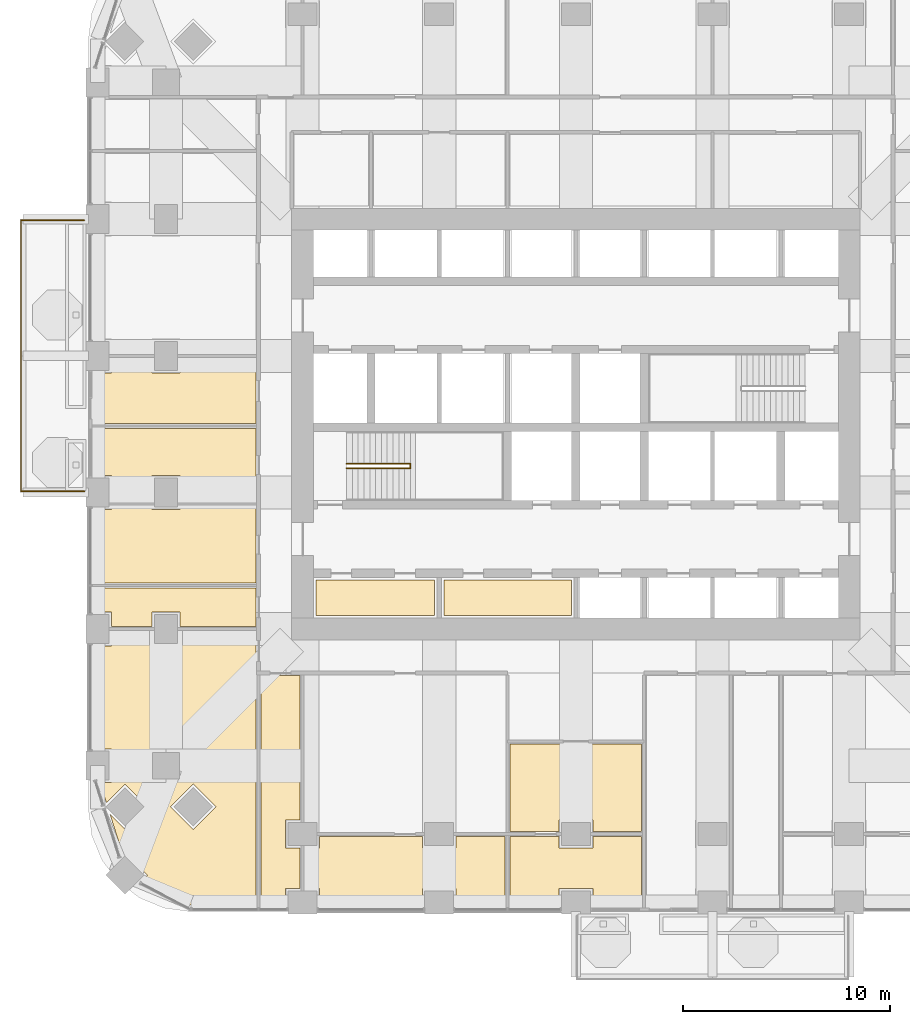
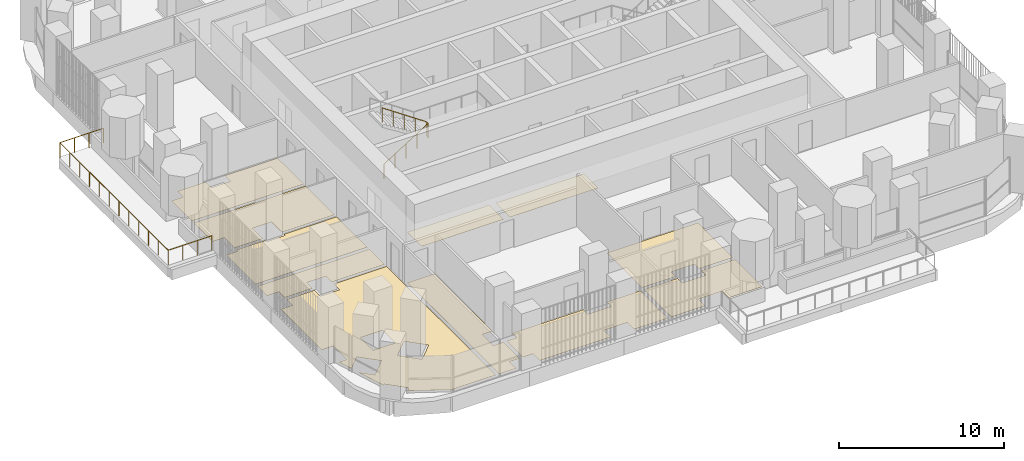
# One storey, part 19 of 23: 11 coverings, 2 railings.
"""IFC4 building model written with IfcOpenShell, lengths in metres."""

from ifc_helpers import new_model, si_unit, direction, frame, origin, place, context, subcontext, project, spatial, polyline, outline, extrude, material, layer, layer_set, type_object, element, save


model = new_model("IFC4")

# Units and contexts
model_context = context("Model", 3, precision=1e-05, world=origin(), true_north=direction((0.0, 1.0)))
body_context = subcontext(model_context, "Body", "Model", "MODEL_VIEW")
ifc_project = project(units=[si_unit("LENGTHUNIT", "METRE"), si_unit("AREAUNIT", "SQUARE_METRE"), si_unit("VOLUMEUNIT", "CUBIC_METRE"), si_unit("PLANEANGLEUNIT", "RADIAN"), si_unit("MASSUNIT", "GRAM", prefix="KILO")], contexts=[model_context])

# Site, building, storey
site_placement = place(None, origin())
site = spatial("IfcSite", under=ifc_project, at=site_placement, CompositionType="ELEMENT")
building_placement = place(site_placement, origin())
building = spatial("IfcBuilding", under=site, at=building_placement, Name="Cobogo Forest Laboratory Tower", CompositionType="ELEMENT")
storey_placement = place(building_placement, frame((0.0, 0.0, 128.39990234375)))
storey = spatial("IfcBuildingStorey", under=building, at=storey_placement, Name="L29", CompositionType="ELEMENT", Elevation=128.39990234375)

# Railing
ifc_material_1 = material(Name="Laminated glass balustrade", Category="glass")
railing_type_1 = type_object("IfcRailingType", Name="BG1 glass balustrade 1100", PredefinedType="GUARDRAIL", material=ifc_material_1)
railing_1_placement = place(storey_placement, frame((2.64990234375, 19.85009765625, 0.0)))
element("IfcRailing", 1, at=railing_1_placement, inside=storey, type_object=railing_type_1, Name="Balcony balustrade BAL-W1 L29", PredefinedType="GUARDRAIL", context=body_context, shape_type="SweptSolid", body=[
    extrude(outline(polyline([(0.022216796875, 0.00927734375), (0.00927734375, 0.022216796875), (-0.00927734375, 0.022216796875), (-0.022216796875, 0.00927734375), (-0.022216796875, -0.00927734375), (-0.00927734375, -0.022216796875), (0.00927734375, -0.022216796875), (0.022216796875, -0.00927734375), (0.022216796875, 0.00927734375)])), frame((0.0, 0.0, 1.077880859375), z_axis=(-1.0, 0.0, 0.0), x_axis=(0.0, -1.0, 0.0)), (0.0, 0.0, 1.0), 3.0498046875),
    extrude(outline(polyline([(0.022216796875, 0.00927734375), (0.00927734375, 0.022216796875), (-0.00927734375, 0.022216796875), (-0.022216796875, 0.00927734375), (-0.022216796875, -0.00927734375), (-0.00927734375, -0.022216796875), (0.00927734375, -0.022216796875), (0.022216796875, -0.00927734375), (0.022216796875, 0.00927734375)])), frame((-3.0498046875, 0.0, 1.077880859375), z_axis=(0.0, 1.0, 0.0), x_axis=(-1.0, 0.0, 0.0)), (0.0, 0.0, 1.0), 13.099853515625),
    extrude(outline(polyline([(0.022216796875, 0.00927734375), (0.00927734375, 0.022216796875), (-0.00927734375, 0.022216796875), (-0.022216796875, 0.00927734375), (-0.022216796875, -0.00927734375), (-0.00927734375, -0.022216796875), (0.00927734375, -0.022216796875), (0.022216796875, -0.00927734375), (0.022216796875, 0.00927734375)])), frame((-3.0498046875, 13.099853515625, 1.077880859375), z_axis=(1.0, 0.0, 0.0), x_axis=(0.0, 1.0, 0.0)), (0.0, 0.0, 1.0), 3.0498046875),
    extrude(outline(polyline([(0.019287109375, 0.008056640625), (0.008056640625, 0.019287109375), (-0.008056640625, 0.019287109375), (-0.019287109375, 0.008056640625), (-0.019287109375, -0.008056640625), (-0.008056640625, -0.019287109375), (0.008056640625, -0.019287109375), (0.019287109375, -0.008056640625), (0.019287109375, 0.008056640625)])), origin(), (0.0, 0.0, 1.0), 1.077880859375),
    extrude(outline(polyline([(0.019287109375, 0.008056640625), (0.008056640625, 0.019287109375), (-0.008056640625, 0.019287109375), (-0.019287109375, 0.008056640625), (-0.019287109375, -0.008056640625), (-0.008056640625, -0.019287109375), (0.008056640625, -0.019287109375), (0.019287109375, -0.008056640625), (0.019287109375, 0.008056640625)])), frame((-1.0166015625, 0.0, 0.0)), (0.0, 0.0, 1.0), 1.077880859375),
    extrude(outline(polyline([(0.019287109375, 0.008056640625), (0.008056640625, 0.019287109375), (-0.008056640625, 0.019287109375), (-0.019287109375, 0.008056640625), (-0.019287109375, -0.008056640625), (-0.008056640625, -0.019287109375), (0.008056640625, -0.019287109375), (0.019287109375, -0.008056640625), (0.019287109375, 0.008056640625)])), frame((-2.033203125, 0.0, 0.0)), (0.0, 0.0, 1.0), 1.077880859375),
    extrude(outline(polyline([(0.019287109375, 0.008056640625), (0.008056640625, 0.019287109375), (-0.008056640625, 0.019287109375), (-0.019287109375, 0.008056640625), (-0.019287109375, -0.008056640625), (-0.008056640625, -0.019287109375), (0.008056640625, -0.019287109375), (0.019287109375, -0.008056640625), (0.019287109375, 0.008056640625)])), frame((-3.0498046875, 0.0, 0.0)), (0.0, 0.0, 1.0), 1.077880859375),
    extrude(outline(polyline([(0.019287109375, 0.008056640625), (0.008056640625, 0.019287109375), (-0.008056640625, 0.019287109375), (-0.019287109375, 0.008056640625), (-0.019287109375, -0.008056640625), (-0.008056640625, -0.019287109375), (0.008056640625, -0.019287109375), (0.019287109375, -0.008056640625), (0.019287109375, 0.008056640625)])), frame((-3.0498046875, 1.19091796875, 0.0)), (0.0, 0.0, 1.0), 1.077880859375),
    extrude(outline(polyline([(0.019287109375, 0.008056640625), (0.008056640625, 0.019287109375), (-0.008056640625, 0.019287109375), (-0.019287109375, 0.008056640625), (-0.019287109375, -0.008056640625), (-0.008056640625, -0.019287109375), (0.008056640625, -0.019287109375), (0.019287109375, -0.008056640625), (0.019287109375, 0.008056640625)])), frame((-3.0498046875, 2.3818359375, 0.0)), (0.0, 0.0, 1.0), 1.077880859375),
    extrude(outline(polyline([(0.019287109375, 0.008056640625), (0.008056640625, 0.019287109375), (-0.008056640625, 0.019287109375), (-0.019287109375, 0.008056640625), (-0.019287109375, -0.008056640625), (-0.008056640625, -0.019287109375), (0.008056640625, -0.019287109375), (0.019287109375, -0.008056640625), (0.019287109375, 0.008056640625)])), frame((-3.0498046875, 3.57275390625, 0.0)), (0.0, 0.0, 1.0), 1.077880859375),
    extrude(outline(polyline([(0.019287109375, 0.008056640625), (0.008056640625, 0.019287109375), (-0.008056640625, 0.019287109375), (-0.019287109375, 0.008056640625), (-0.019287109375, -0.008056640625), (-0.008056640625, -0.019287109375), (0.008056640625, -0.019287109375), (0.019287109375, -0.008056640625), (0.019287109375, 0.008056640625)])), frame((-3.0498046875, 4.763671875, 0.0)), (0.0, 0.0, 1.0), 1.077880859375),
    extrude(outline(polyline([(0.019287109375, 0.008056640625), (0.008056640625, 0.019287109375), (-0.008056640625, 0.019287109375), (-0.019287109375, 0.008056640625), (-0.019287109375, -0.008056640625), (-0.008056640625, -0.019287109375), (0.008056640625, -0.019287109375), (0.019287109375, -0.008056640625), (0.019287109375, 0.008056640625)])), frame((-3.0498046875, 5.95458984375, 0.0)), (0.0, 0.0, 1.0), 1.077880859375),
    extrude(outline(polyline([(0.019287109375, 0.008056640625), (0.008056640625, 0.019287109375), (-0.008056640625, 0.019287109375), (-0.019287109375, 0.008056640625), (-0.019287109375, -0.008056640625), (-0.008056640625, -0.019287109375), (0.008056640625, -0.019287109375), (0.019287109375, -0.008056640625), (0.019287109375, 0.008056640625)])), frame((-3.0498046875, 7.145263671875, 0.0)), (0.0, 0.0, 1.0), 1.077880859375),
    extrude(outline(polyline([(0.019287109375, 0.008056640625), (0.008056640625, 0.019287109375), (-0.008056640625, 0.019287109375), (-0.019287109375, 0.008056640625), (-0.019287109375, -0.008056640625), (-0.008056640625, -0.019287109375), (0.008056640625, -0.019287109375), (0.019287109375, -0.008056640625), (0.019287109375, 0.008056640625)])), frame((-3.0498046875, 8.336181640625, 0.0)), (0.0, 0.0, 1.0), 1.077880859375),
    extrude(outline(polyline([(0.019287109375, 0.008056640625), (0.008056640625, 0.019287109375), (-0.008056640625, 0.019287109375), (-0.019287109375, 0.008056640625), (-0.019287109375, -0.008056640625), (-0.008056640625, -0.019287109375), (0.008056640625, -0.019287109375), (0.019287109375, -0.008056640625), (0.019287109375, 0.008056640625)])), frame((-3.0498046875, 9.527099609375, 0.0)), (0.0, 0.0, 1.0), 1.077880859375),
    extrude(outline(polyline([(0.019287109375, 0.008056640625), (0.008056640625, 0.019287109375), (-0.008056640625, 0.019287109375), (-0.019287109375, 0.008056640625), (-0.019287109375, -0.008056640625), (-0.008056640625, -0.019287109375), (0.008056640625, -0.019287109375), (0.019287109375, -0.008056640625), (0.019287109375, 0.008056640625)])), frame((-3.0498046875, 10.718017578125, 0.0)), (0.0, 0.0, 1.0), 1.077880859375),
    extrude(outline(polyline([(0.019287109375, 0.008056640625), (0.008056640625, 0.019287109375), (-0.008056640625, 0.019287109375), (-0.019287109375, 0.008056640625), (-0.019287109375, -0.008056640625), (-0.008056640625, -0.019287109375), (0.008056640625, -0.019287109375), (0.019287109375, -0.008056640625), (0.019287109375, 0.008056640625)])), frame((-3.0498046875, 11.908935546875, 0.0)), (0.0, 0.0, 1.0), 1.077880859375),
    extrude(outline(polyline([(0.019287109375, 0.008056640625), (0.008056640625, 0.019287109375), (-0.008056640625, 0.019287109375), (-0.019287109375, 0.008056640625), (-0.019287109375, -0.008056640625), (-0.008056640625, -0.019287109375), (0.008056640625, -0.019287109375), (0.019287109375, -0.008056640625), (0.019287109375, 0.008056640625)])), frame((-3.0498046875, 13.099853515625, 0.0)), (0.0, 0.0, 1.0), 1.077880859375),
    extrude(outline(polyline([(0.019287109375, 0.008056640625), (0.008056640625, 0.019287109375), (-0.008056640625, 0.019287109375), (-0.019287109375, 0.008056640625), (-0.019287109375, -0.008056640625), (-0.008056640625, -0.019287109375), (0.008056640625, -0.019287109375), (0.019287109375, -0.008056640625), (0.019287109375, 0.008056640625)])), frame((-2.033203125, 13.099853515625, 0.0)), (0.0, 0.0, 1.0), 1.077880859375),
    extrude(outline(polyline([(0.019287109375, 0.008056640625), (0.008056640625, 0.019287109375), (-0.008056640625, 0.019287109375), (-0.019287109375, 0.008056640625), (-0.019287109375, -0.008056640625), (-0.008056640625, -0.019287109375), (0.008056640625, -0.019287109375), (0.019287109375, -0.008056640625), (0.019287109375, 0.008056640625)])), frame((-1.0166015625, 13.099853515625, 0.0)), (0.0, 0.0, 1.0), 1.077880859375),
    extrude(outline(polyline([(0.019287109375, 0.008056640625), (0.008056640625, 0.019287109375), (-0.008056640625, 0.019287109375), (-0.019287109375, 0.008056640625), (-0.019287109375, -0.008056640625), (-0.008056640625, -0.019287109375), (0.008056640625, -0.019287109375), (0.019287109375, -0.008056640625), (0.019287109375, 0.008056640625)])), frame((0.0, 13.099853515625, 0.0)), (0.0, 0.0, 1.0), 1.077880859375),
])

# Coverings
ifc_material_2 = material(Name="Carpet tile on raised access floor", Category="flooring")
ifc_layer_1 = layer(ifc_material_2, 0.008056640625)
ifc_layer_set_1 = layer_set([ifc_layer_1], Name="CT1 carpet tile floor 8")
covering_type_1 = type_object("IfcCoveringType", Name="CT1 carpet tile floor 8", PredefinedType="FLOORING", material=ifc_layer_set_1)
covering_1_placement = place(storey_placement, origin())
element("IfcCovering", 2, at=covering_1_placement, inside=storey, type_object=covering_type_1, Name="Carpet floor L29-05", PredefinedType="FLOORING", context=body_context, shape_type="SweptSolid", body=[
    extrude(outline(polyline([(13.080078125, 10.955078125), (13.080078125, 3.969970703125), (12.3798828125, 3.969970703125), (12.3798828125, 2.6298828125), (13.080078125, 2.6298828125), (13.080078125, 0.669921875), (12.3798828125, 0.669921875), (12.3798828125, -0.14990234375), (11.195068359375, -0.14990234375), (11.195068359375, 10.955078125), (13.080078125, 10.955078125)])), origin(), (0.0, 0.0, 1.0), 0.008056640625),
])
covering_2_placement = place(storey_placement, origin())
element("IfcCovering", 3, at=covering_2_placement, inside=storey, type_object=covering_type_1, Name="Carpet floor L29-07", PredefinedType="FLOORING", context=body_context, shape_type="SweptSolid", body=[
    extrude(outline(polyline([(18.97998046875, 3.179931640625), (18.97998046875, 2.6298828125), (20.6201171875, 2.6298828125), (20.6201171875, 3.179931640625), (22.97998046875, 3.179931640625), (22.97998046875, -0.14990234375), (20.6201171875, -0.14990234375), (20.6201171875, 0.669921875), (18.97998046875, 0.669921875), (18.97998046875, -0.14990234375), (14.02001953125, -0.14990234375), (14.02001953125, 0.669921875), (13.320068359375, 0.669921875), (13.320068359375, 2.6298828125), (14.02001953125, 2.6298828125), (14.02001953125, 3.179931640625), (18.97998046875, 3.179931640625)])), origin(), (0.0, 0.0, 1.0), 0.008056640625),
])
covering_3_placement = place(storey_placement, origin())
element("IfcCovering", 4, at=covering_3_placement, inside=storey, type_object=covering_type_1, Name="Carpet floor L29-09", PredefinedType="FLOORING", context=body_context, shape_type="SweptSolid", body=[
    extrude(outline(polyline([(25.580078125, 3.179931640625), (25.580078125, 2.6298828125), (27.219970703125, 2.6298828125), (27.219970703125, 3.179931640625), (29.580078125, 3.179931640625), (29.580078125, -0.14990234375), (27.219970703125, -0.14990234375), (27.219970703125, 0.669921875), (25.580078125, 0.669921875), (25.580078125, -0.14990234375), (23.219970703125, -0.14990234375), (23.219970703125, 3.179931640625), (25.580078125, 3.179931640625)])), origin(), (0.0, 0.0, 1.0), 0.008056640625),
])
covering_4_placement = place(storey_placement, origin())
element("IfcCovering", 5, at=covering_4_placement, inside=storey, type_object=covering_type_1, Name="Carpet floor L29-23", PredefinedType="FLOORING", context=body_context, shape_type="SweptSolid", body=[
    extrude(outline(polyline([(3.904052734375, 4.2431640625), (4.617919921875, 3.529052734375), (5.70703125, 4.617919921875), (4.617919921875, 5.70703125), (3.72412109375, 4.81298828125), (3.418701171875, 5.780029296875), (3.969970703125, 5.780029296875), (3.969970703125, 7.419921875), (3.14990234375, 7.419921875), (3.14990234375, 12.3798828125), (3.969970703125, 12.3798828125), (3.969970703125, 13.080078125), (5.929931640625, 13.080078125), (5.929931640625, 12.3798828125), (7.27001953125, 12.3798828125), (7.27001953125, 13.080078125), (10.955078125, 13.080078125), (10.955078125, -0.14990234375), (7.84912109375, -0.14990234375), (5.480712890625, 1.091552734375), (5.70703125, 1.318115234375), (4.617919921875, 2.406982421875), (4.51611328125, 2.304931640625), (3.904052734375, 4.2431640625)]), holes=[polyline([(6.8291015625, 4.617919921875), (7.91796875, 3.529052734375), (9.007080078125, 4.617919921875), (7.91796875, 5.70703125), (6.8291015625, 4.617919921875)]), polyline([(5.830078125, 7.3701171875), (5.830078125, 5.830078125), (7.3701171875, 5.830078125), (7.3701171875, 7.3701171875), (5.830078125, 7.3701171875)])]), origin(), (0.0, 0.0, 1.0), 0.008056640625),
])
covering_5_placement = place(storey_placement, origin())
element("IfcCovering", 6, at=covering_5_placement, inside=storey, type_object=covering_type_1, Name="Carpet floor L29-38", PredefinedType="FLOORING", context=body_context, shape_type="SweptSolid", body=[
    extrude(outline(polyline([(26.179931640625, 13.844970703125), (20.02001953125, 13.844970703125), (20.02001953125, 15.580078125), (26.179931640625, 15.580078125), (26.179931640625, 13.844970703125)])), origin(), (0.0, 0.0, 1.0), 0.008056640625),
])

# Railing
ifc_material_3 = material(Name="Steel balustrade", Category="steel")
railing_type_2 = type_object("IfcRailingType", Name="GR stair guard 1100", PredefinedType="GUARDRAIL", material=ifc_material_3)
railing_2_placement = place(storey_placement, frame((15.324951171875, 20.969970703125, 0.175048828125)))
element("IfcRailing", 7, at=railing_2_placement, inside=storey, type_object=railing_type_2, Name="Stair guard ST1 L29", PredefinedType="GUARDRAIL", context=body_context, shape_type="SweptSolid", body=[
    extrude(outline(polyline([(0.022216796875, 0.00927734375), (0.00927734375, 0.022216796875), (-0.00927734375, 0.022216796875), (-0.022216796875, 0.00927734375), (-0.022216796875, -0.00927734375), (-0.00927734375, -0.022216796875), (0.00927734375, -0.022216796875), (0.022216796875, -0.00927734375), (0.022216796875, 0.00927734375)])), frame((0.0, 0.0, 1.077880859375), z_axis=(0.847998304005, 0.0, 0.529998940003), x_axis=(0.0, 1.0, 0.0)), (0.0, 0.0, 1.0), 3.632080078125),
    extrude(outline(polyline([(0.022216796875, 0.00927734375), (0.00927734375, 0.022216796875), (-0.00927734375, 0.022216796875), (-0.022216796875, 0.00927734375), (-0.022216796875, -0.00927734375), (-0.00927734375, -0.022216796875), (0.00927734375, -0.022216796875), (0.022216796875, -0.00927734375), (0.022216796875, 0.00927734375)])), frame((3.080078125, 0.0, 3.0029296875), z_axis=(0.0, 1.0, 0.0), x_axis=(-1.0, 0.0, 0.0)), (0.0, 0.0, 1.0), 0.2099609375),
    extrude(outline(polyline([(0.022216796875, 0.00927734375), (0.00927734375, 0.022216796875), (-0.00927734375, 0.022216796875), (-0.022216796875, 0.00927734375), (-0.022216796875, -0.00927734375), (-0.00927734375, -0.022216796875), (0.00927734375, -0.022216796875), (0.022216796875, -0.00927734375), (0.022216796875, 0.00927734375)])), frame((3.080078125, 0.2099609375, 3.0029296875), z_axis=(-0.826221800596, 0.0, 0.563344953133), x_axis=(0.0, -1.0, 0.0)), (0.0, 0.0, 1.0), 3.72802734375),
    extrude(outline(polyline([(0.019287109375, 0.008056640625), (0.008056640625, 0.019287109375), (-0.008056640625, 0.019287109375), (-0.019287109375, 0.008056640625), (-0.019287109375, -0.008056640625), (-0.008056640625, -0.019287109375), (0.008056640625, -0.019287109375), (0.019287109375, -0.008056640625), (0.019287109375, 0.008056640625)])), origin(), (0.0, 0.0, 1.0), 1.077880859375),
    extrude(outline(polyline([(0.019287109375, 0.008056640625), (0.008056640625, 0.019287109375), (-0.008056640625, 0.019287109375), (-0.019287109375, 0.008056640625), (-0.019287109375, -0.008056640625), (-0.008056640625, -0.019287109375), (0.008056640625, -0.019287109375), (0.019287109375, -0.008056640625), (0.019287109375, 0.008056640625)])), frame((0.77001953125, 0.0, 0.481201171875)), (0.0, 0.0, 1.0), 1.077880859375),
    extrude(outline(polyline([(0.019287109375, 0.008056640625), (0.008056640625, 0.019287109375), (-0.008056640625, 0.019287109375), (-0.019287109375, 0.008056640625), (-0.019287109375, -0.008056640625), (-0.008056640625, -0.019287109375), (0.008056640625, -0.019287109375), (0.019287109375, -0.008056640625), (0.019287109375, 0.008056640625)])), frame((1.5400390625, 0.0, 0.96240234375)), (0.0, 0.0, 1.0), 1.077880859375),
    extrude(outline(polyline([(0.019287109375, 0.008056640625), (0.008056640625, 0.019287109375), (-0.008056640625, 0.019287109375), (-0.019287109375, 0.008056640625), (-0.019287109375, -0.008056640625), (-0.008056640625, -0.019287109375), (0.008056640625, -0.019287109375), (0.019287109375, -0.008056640625), (0.019287109375, 0.008056640625)])), frame((2.31005859375, 0.0, 1.44384765625)), (0.0, 0.0, 1.0), 1.077880859375),
    extrude(outline(polyline([(0.019287109375, 0.008056640625), (0.008056640625, 0.019287109375), (-0.008056640625, 0.019287109375), (-0.019287109375, 0.008056640625), (-0.019287109375, -0.008056640625), (-0.008056640625, -0.019287109375), (0.008056640625, -0.019287109375), (0.019287109375, -0.008056640625), (0.019287109375, 0.008056640625)])), frame((3.080078125, 0.0, 1.925048828125)), (0.0, 0.0, 1.0), 1.077880859375),
    extrude(outline(polyline([(0.019287109375, 0.008056640625), (0.008056640625, 0.019287109375), (-0.008056640625, 0.019287109375), (-0.019287109375, 0.008056640625), (-0.019287109375, -0.008056640625), (-0.008056640625, -0.019287109375), (0.008056640625, -0.019287109375), (0.019287109375, -0.008056640625), (0.019287109375, 0.008056640625)])), frame((3.080078125, 0.2099609375, 1.925048828125)), (0.0, 0.0, 1.0), 1.077880859375),
    extrude(outline(polyline([(0.019287109375, 0.008056640625), (0.008056640625, 0.019287109375), (-0.008056640625, 0.019287109375), (-0.019287109375, 0.008056640625), (-0.019287109375, -0.008056640625), (-0.008056640625, -0.019287109375), (0.008056640625, -0.019287109375), (0.019287109375, -0.008056640625), (0.019287109375, 0.008056640625)])), frame((2.31005859375, 0.2099609375, 2.4501953125)), (0.0, 0.0, 1.0), 1.077880859375),
    extrude(outline(polyline([(0.019287109375, 0.008056640625), (0.008056640625, 0.019287109375), (-0.008056640625, 0.019287109375), (-0.019287109375, 0.008056640625), (-0.019287109375, -0.008056640625), (-0.008056640625, -0.019287109375), (0.008056640625, -0.019287109375), (0.019287109375, -0.008056640625), (0.019287109375, 0.008056640625)])), frame((1.5400390625, 0.2099609375, 2.97509765625)), (0.0, 0.0, 1.0), 1.077880859375),
    extrude(outline(polyline([(0.019287109375, 0.008056640625), (0.008056640625, 0.019287109375), (-0.008056640625, 0.019287109375), (-0.019287109375, 0.008056640625), (-0.019287109375, -0.008056640625), (-0.008056640625, -0.019287109375), (0.008056640625, -0.019287109375), (0.019287109375, -0.008056640625), (0.019287109375, 0.008056640625)])), frame((0.77001953125, 0.2099609375, 3.5)), (0.0, 0.0, 1.0), 1.077880859375),
    extrude(outline(polyline([(0.019287109375, 0.008056640625), (0.008056640625, 0.019287109375), (-0.008056640625, 0.019287109375), (-0.019287109375, 0.008056640625), (-0.019287109375, -0.008056640625), (-0.008056640625, -0.019287109375), (0.008056640625, -0.019287109375), (0.019287109375, -0.008056640625), (0.019287109375, 0.008056640625)])), frame((0.0, 0.2099609375, 4.025146484375)), (0.0, 0.0, 1.0), 1.077880859375),
])

# Coverings
ifc_material_4 = material(Name="Epoxy resin flooring", Category="flooring")
ifc_layer_2 = layer(ifc_material_4, 0.00390625)
ifc_layer_set_2 = layer_set([ifc_layer_2], Name="LF1 epoxy laboratory floor 4")
covering_type_2 = type_object("IfcCoveringType", Name="LF1 epoxy laboratory floor 4", PredefinedType="FLOORING", material=ifc_layer_set_2)
covering_6_placement = place(storey_placement, origin())
element("IfcCovering", 8, at=covering_6_placement, inside=storey, type_object=covering_type_2, Name="Epoxy laboratory floor L29-08", PredefinedType="FLOORING", context=body_context, shape_type="SweptSolid", body=[
    extrude(outline(polyline([(23.219970703125, 7.655029296875), (29.580078125, 7.655029296875), (29.580078125, 3.419921875), (27.219970703125, 3.419921875), (27.219970703125, 3.969970703125), (25.580078125, 3.969970703125), (25.580078125, 3.419921875), (23.219970703125, 3.419921875), (23.219970703125, 7.655029296875)])), origin(), (0.0, 0.0, 1.0), 0.004150390625),
])
ifc_material_5 = material(Name="Ceramic floor tile", Category="flooring")
ifc_layer_3 = layer(ifc_material_5, 0.010009765625)
ifc_layer_set_3 = layer_set([ifc_layer_3], Name="TF1 ceramic tile floor 10")
covering_type_3 = type_object("IfcCoveringType", Name="TF1 ceramic tile floor 10", PredefinedType="FLOORING", material=ifc_layer_set_3)
covering_7_placement = place(storey_placement, origin())
element("IfcCovering", 9, at=covering_7_placement, inside=storey, type_object=covering_type_3, Name="Tile floor L29-24", PredefinedType="FLOORING", context=body_context, shape_type="SweptSolid", body=[
    extrude(outline(polyline([(10.955078125, 13.320068359375), (7.27001953125, 13.320068359375), (7.27001953125, 14.02001953125), (5.929931640625, 14.02001953125), (5.929931640625, 13.320068359375), (3.969970703125, 13.320068359375), (3.969970703125, 14.02001953125), (3.14990234375, 14.02001953125), (3.14990234375, 15.179931640625), (10.955078125, 15.179931640625), (10.955078125, 13.320068359375)])), origin(), (0.0, 0.0, 1.0), 0.010009765625),
])
covering_8_placement = place(storey_placement, origin())
element("IfcCovering", 10, at=covering_8_placement, inside=storey, type_object=covering_type_3, Name="Tile floor L29-25", PredefinedType="FLOORING", context=body_context, shape_type="SweptSolid", body=[
    extrude(outline(polyline([(10.955078125, 15.419921875), (3.14990234375, 15.419921875), (3.14990234375, 18.97998046875), (3.969970703125, 18.97998046875), (3.969970703125, 19.1298828125), (5.929931640625, 19.1298828125), (5.929931640625, 18.97998046875), (7.27001953125, 18.97998046875), (7.27001953125, 19.1298828125), (10.955078125, 19.1298828125), (10.955078125, 15.419921875)])), origin(), (0.0, 0.0, 1.0), 0.010009765625),
])
covering_9_placement = place(storey_placement, origin())
element("IfcCovering", 11, at=covering_9_placement, inside=storey, type_object=covering_type_3, Name="Tile floor L29-26", PredefinedType="FLOORING", context=body_context, shape_type="SweptSolid", body=[
    extrude(outline(polyline([(10.955078125, 19.3701171875), (7.27001953125, 19.3701171875), (7.27001953125, 20.6201171875), (5.929931640625, 20.6201171875), (5.929931640625, 19.3701171875), (3.969970703125, 19.3701171875), (3.969970703125, 20.6201171875), (3.14990234375, 20.6201171875), (3.14990234375, 22.8798828125), (10.955078125, 22.8798828125), (10.955078125, 19.3701171875)])), origin(), (0.0, 0.0, 1.0), 0.010009765625),
])
covering_10_placement = place(storey_placement, origin())
element("IfcCovering", 12, at=covering_10_placement, inside=storey, type_object=covering_type_3, Name="Tile floor L29-27", PredefinedType="FLOORING", context=body_context, shape_type="SweptSolid", body=[
    extrude(outline(polyline([(10.955078125, 23.1201171875), (3.14990234375, 23.1201171875), (3.14990234375, 25.580078125), (3.969970703125, 25.580078125), (3.969970703125, 26.280029296875), (5.929931640625, 26.280029296875), (5.929931640625, 25.580078125), (7.27001953125, 25.580078125), (7.27001953125, 26.280029296875), (10.955078125, 26.280029296875), (10.955078125, 23.1201171875)])), origin(), (0.0, 0.0, 1.0), 0.010009765625),
])
covering_11_placement = place(storey_placement, origin())
element("IfcCovering", 13, at=covering_11_placement, inside=storey, type_object=covering_type_3, Name="Tile floor L29-37", PredefinedType="FLOORING", context=body_context, shape_type="SweptSolid", body=[
    extrude(outline(polyline([(19.580078125, 13.844970703125), (13.844970703125, 13.844970703125), (13.844970703125, 15.580078125), (19.580078125, 15.580078125), (19.580078125, 13.844970703125)])), origin(), (0.0, 0.0, 1.0), 0.010009765625),
])

save(model, "model.ifc")
